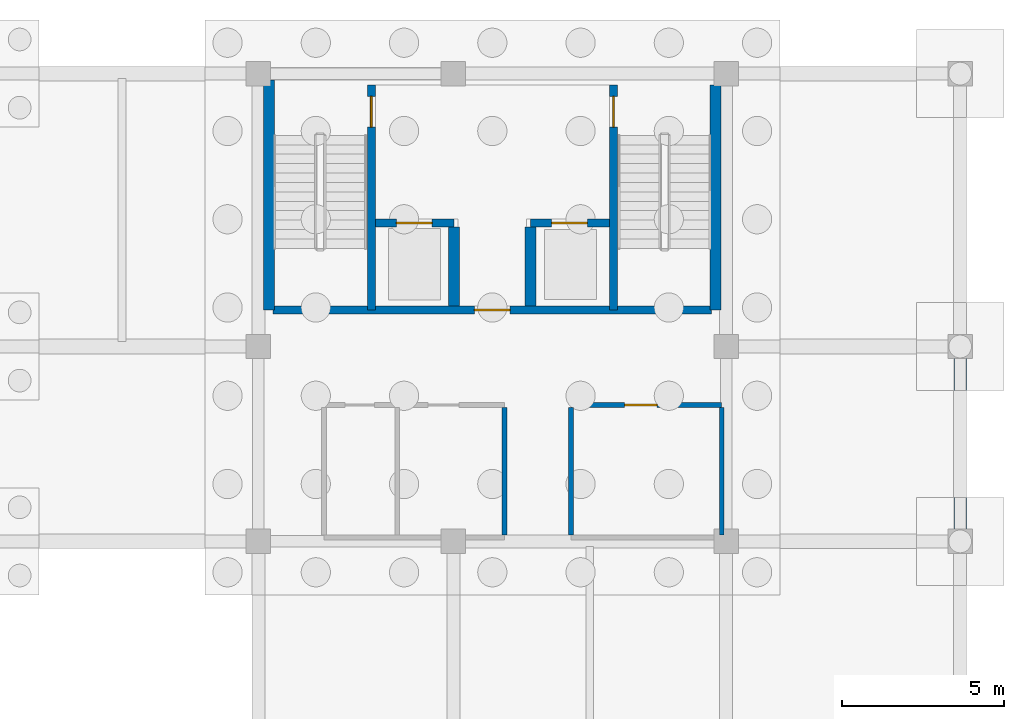
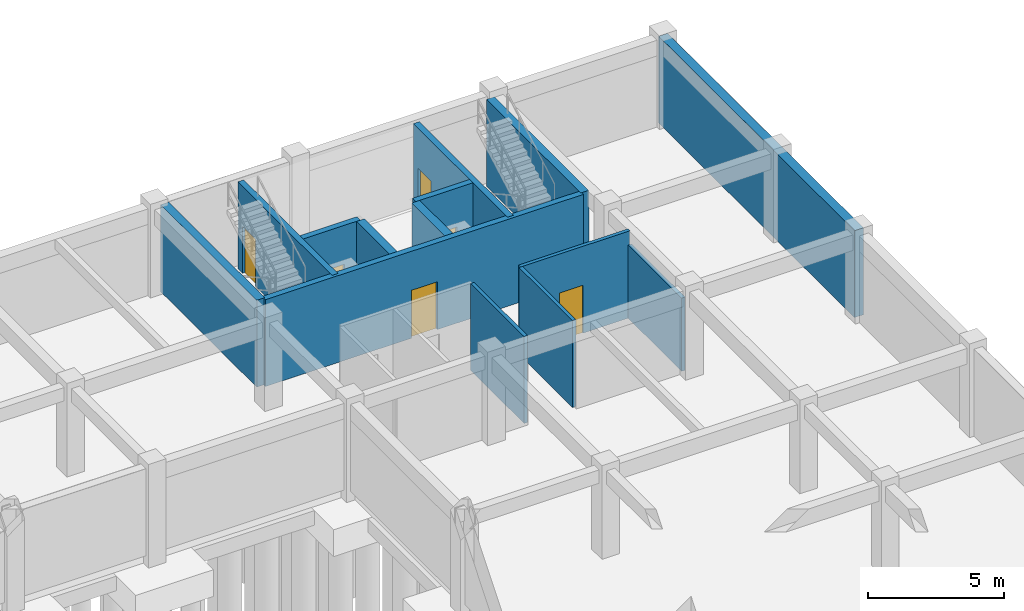
# One storey, part 31 of 40: 14 walls, 6 doors, 6 openings.
"""IFC4 building model written with IfcOpenShell, lengths in metres."""

from ifc_helpers import new_model, si_unit, direction, frame, frame_2d, origin, place, context, subcontext, project, spatial, rectangle, extrude, material, layer, layer_set, type_object, element, fill, save


model = new_model("IFC4")

# Units and contexts
model_context = context("Model", 3, precision=1e-05, world=origin(), true_north=direction((0.0, 1.0)))
body_context = subcontext(model_context, "Body", "Model", "MODEL_VIEW")
ifc_project = project(units=[si_unit("LENGTHUNIT", "METRE"), si_unit("AREAUNIT", "SQUARE_METRE"), si_unit("VOLUMEUNIT", "CUBIC_METRE"), si_unit("PLANEANGLEUNIT", "RADIAN"), si_unit("MASSUNIT", "GRAM", prefix="KILO"), si_unit("THERMODYNAMICTEMPERATUREUNIT", "KELVIN")], contexts=[model_context])

# Site, building, storey
site_placement = place(None, origin())
site = spatial("IfcSite", under=ifc_project, at=site_placement, CompositionType="ELEMENT")
building_placement = place(site_placement, origin())
building = spatial("IfcBuilding", under=site, at=building_placement, Name="Thalorik Housing Commons", CompositionType="ELEMENT")
storey_placement = place(building_placement, frame((0.0, 0.0, -4.199951171875)))
storey = spatial("IfcBuildingStorey", under=building, at=storey_placement, Name="B1", CompositionType="ELEMENT", Elevation=-4.199951171875)

# Wall, opening, door
ifc_material_1 = material(Name="Concrete C40/50", Category="concrete")
ifc_layer_1 = layer(ifc_material_1, 0.25, Name="Concrete C40/50", Category="concrete")
ifc_layer_set_1 = layer_set([ifc_layer_1], Name="Concrete C40/50")
wall_type_1 = type_object("IfcWallType", Name="ARC-WAL-CORE-250", PredefinedType="SHEAR", material=ifc_layer_set_1)
wall_1_placement = place(storey_placement, frame((155.875, 123.25, 0.0), z_axis=(0.0, 0.0, 1.0), x_axis=(0.0, -1.0, 0.0)))
wall_1 = element("IfcWall", 1, at=wall_1_placement, inside=storey, type_object=wall_type_1, Name="B1 Core B Stair 1 Shear Wall", PredefinedType="SHEAR", context=body_context, shape_type="SweptSolid", body=[
    extrude(rectangle(XDim=6.925048828125, YDim=0.25, at=frame_2d((3.46240234375, 0.0))), origin(), (0.0, 0.0, 1.0), 3.89990234375),
])
opening_1_placement = place(wall_1_placement, frame((0.35009765625, 0.0, 0.0)))
opening_1 = element("IfcOpeningElement", 2, at=opening_1_placement, cuts=wall_1, Name="Opening ID-0137", PredefinedType="OPENING", context=body_context, shape_type="SweptSolid", body=[
    extrude(rectangle(XDim=0.949951171875, YDim=2.10009765625, at=frame_2d((0.47509765625, 1.050048828125))), frame((0.0, 0.135009765625, 0.0), z_axis=(0.0, -1.0, 0.0), x_axis=(1.0, 0.0, 0.0)), (0.0, 0.0, 1.0), 0.27001953125),
])
ifc_material_2 = material(Name="Steel S355", Category="steel")
door_type_1 = type_object("IfcDoorType", Name="ARC-DR-FD60-950", OperationType="NOTDEFINED", PredefinedType="DOOR", material=ifc_material_2)
door_1_placement = place(opening_1_placement, origin())
door_1 = element("IfcDoor", 3, at=door_1_placement, inside=storey, type_object=door_type_1, Name="B1 Stair ST-B1 Fire Door", OperationType="SINGLE_SWING_RIGHT", OverallHeight=2.10009765625, OverallWidth=0.949951171875, PredefinedType="DOOR", context=body_context, shape_type="SweptSolid", body=[
    extrude(rectangle(XDim=0.949951171875, YDim=2.10009765625, at=frame_2d((0.47509765625, 1.050048828125))), frame((0.0, 0.02490234375, 0.0), z_axis=(0.0, -1.0, 0.0), x_axis=(1.0, 0.0, 0.0)), (0.0, 0.0, 1.0), 0.050048828125),
])
fill(opening_1, door_1)

wall_2_placement = place(storey_placement, frame((163.324951171875, 123.25, 0.0), z_axis=(0.0, 0.0, 1.0), x_axis=(0.0, -1.0, 0.0)))
wall_2 = element("IfcWall", 4, at=wall_2_placement, inside=storey, type_object=wall_type_1, Name="B1 Core B Stair 2 Shear Wall", PredefinedType="SHEAR", context=body_context, shape_type="SweptSolid", body=[
    extrude(rectangle(XDim=6.925048828125, YDim=0.25, at=frame_2d((3.46240234375, 0.0))), origin(), (0.0, 0.0, 1.0), 3.89990234375),
])
opening_2_placement = place(wall_2_placement, frame((0.35009765625, 0.0, 0.0)))
opening_2 = element("IfcOpeningElement", 5, at=opening_2_placement, cuts=wall_2, Name="Opening ID-0138", PredefinedType="OPENING", context=body_context, shape_type="SweptSolid", body=[
    extrude(rectangle(XDim=0.949951171875, YDim=2.10009765625, at=frame_2d((0.47509765625, 1.050048828125))), frame((0.0, 0.135009765625, 0.0), z_axis=(0.0, -1.0, 0.0), x_axis=(1.0, 0.0, 0.0)), (0.0, 0.0, 1.0), 0.27001953125),
])
door_2_placement = place(opening_2_placement, origin())
door_2 = element("IfcDoor", 6, at=door_2_placement, inside=storey, type_object=door_type_1, Name="B1 Stair ST-B2 Fire Door", OperationType="SINGLE_SWING_LEFT", OverallHeight=2.10009765625, OverallWidth=0.949951171875, PredefinedType="DOOR", context=body_context, shape_type="SweptSolid", body=[
    extrude(rectangle(XDim=0.949951171875, YDim=2.10009765625, at=frame_2d((0.47509765625, 1.050048828125))), frame((0.0, 0.02490234375, 0.0), z_axis=(0.0, -1.0, 0.0), x_axis=(1.0, 0.0, 0.0)), (0.0, 0.0, 1.0), 0.050048828125),
])
fill(opening_2, door_2)

wall_3_placement = place(storey_placement, frame((156.0, 119.0, 0.0), z_axis=(0.0, 0.0, 1.0), x_axis=(1.0, 0.0, 0.0)))
wall_3 = element("IfcWall", 7, at=wall_3_placement, inside=storey, type_object=wall_type_1, Name="B1 Lift LF-B1 Front Shaft Wall", PredefinedType="SHEAR", context=body_context, shape_type="SweptSolid", body=[
    extrude(rectangle(XDim=2.425048828125, YDim=0.25, at=frame_2d((1.21240234375, 0.0))), origin(), (0.0, 0.0, 1.0), 3.89990234375),
])
opening_3_placement = place(wall_3_placement, frame((0.64990234375, 0.0, 0.0)))
opening_3 = element("IfcOpeningElement", 8, at=opening_3_placement, cuts=wall_3, Name="Opening LD-LF-B1-B1", PredefinedType="OPENING", context=body_context, shape_type="SweptSolid", body=[
    extrude(rectangle(XDim=1.10009765625, YDim=2.14990234375, at=frame_2d((0.550048828125, 1.074951171875))), frame((0.0, 0.135009765625, 0.0), z_axis=(0.0, -1.0, 0.0), x_axis=(1.0, 0.0, 0.0)), (0.0, 0.0, 1.0), 0.27001953125),
])
door_type_2 = type_object("IfcDoorType", Name="ARC-DR-LIFT-1100", OperationType="NOTDEFINED", PredefinedType="DOOR", material=ifc_material_2)
door_3_placement = place(opening_3_placement, origin())
door_3 = element("IfcDoor", 9, at=door_3_placement, inside=storey, type_object=door_type_2, Name="B1 Lift LF-B1 Landing Door", OperationType="SLIDING_TO_LEFT", OverallHeight=2.14990234375, OverallWidth=1.10009765625, PredefinedType="DOOR", context=body_context, shape_type="SweptSolid", body=[
    extrude(rectangle(XDim=1.10009765625, YDim=2.14990234375, at=frame_2d((0.550048828125, 1.074951171875))), frame((0.0, 0.02490234375, 0.0), z_axis=(0.0, -1.0, 0.0), x_axis=(1.0, 0.0, 0.0)), (0.0, 0.0, 1.0), 0.050048828125),
])
fill(opening_3, door_3)

wall_4_placement = place(storey_placement, frame((160.77490234375, 119.0, 0.0), z_axis=(0.0, 0.0, 1.0), x_axis=(1.0, 0.0, 0.0)))
wall_4 = element("IfcWall", 10, at=wall_4_placement, inside=storey, type_object=wall_type_1, Name="B1 Lift LP-B2 Front Shaft Wall", PredefinedType="SHEAR", context=body_context, shape_type="SweptSolid", body=[
    extrude(rectangle(XDim=2.425048828125, YDim=0.25, at=frame_2d((1.21240234375, 0.0))), origin(), (0.0, 0.0, 1.0), 3.89990234375),
])
opening_4_placement = place(wall_4_placement, frame((0.64990234375, 0.0, 0.0)))
opening_4 = element("IfcOpeningElement", 11, at=opening_4_placement, cuts=wall_4, Name="Opening LD-LP-B2-B1", PredefinedType="OPENING", context=body_context, shape_type="SweptSolid", body=[
    extrude(rectangle(XDim=1.10009765625, YDim=2.14990234375, at=frame_2d((0.550048828125, 1.074951171875))), frame((0.0, 0.135009765625, 0.0), z_axis=(0.0, -1.0, 0.0), x_axis=(1.0, 0.0, 0.0)), (0.0, 0.0, 1.0), 0.27001953125),
])
door_4_placement = place(opening_4_placement, origin())
door_4 = element("IfcDoor", 12, at=door_4_placement, inside=storey, type_object=door_type_2, Name="B1 Lift LP-B2 Landing Door", OperationType="SLIDING_TO_LEFT", OverallHeight=2.14990234375, OverallWidth=1.10009765625, PredefinedType="DOOR", context=body_context, shape_type="SweptSolid", body=[
    extrude(rectangle(XDim=1.10009765625, YDim=2.14990234375, at=frame_2d((0.550048828125, 1.074951171875))), frame((0.0, 0.02490234375, 0.0), z_axis=(0.0, -1.0, 0.0), x_axis=(1.0, 0.0, 0.0)), (0.0, 0.0, 1.0), 0.050048828125),
])
fill(opening_4, door_4)

wall_5_placement = place(storey_placement, frame((152.85009765625, 116.324951171875, 0.0), z_axis=(0.0, 0.0, 1.0), x_axis=(1.0, 0.0, 0.0)))
wall_5 = element("IfcWall", 13, at=wall_5_placement, inside=storey, type_object=wall_type_1, Name="B1 Core B Spine Shear Wall", PredefinedType="SHEAR", context=body_context, shape_type="SweptSolid", body=[
    extrude(rectangle(XDim=13.5, YDim=0.25, at=frame_2d((6.75, 0.0))), origin(), (0.0, 0.0, 1.0), 3.89990234375),
])
opening_5_placement = place(wall_5_placement, frame((6.199951171875, 0.0, 0.0)))
opening_5 = element("IfcOpeningElement", 14, at=opening_5_placement, cuts=wall_5, Name="Opening ID-0141", PredefinedType="OPENING", context=body_context, shape_type="SweptSolid", body=[
    extrude(rectangle(XDim=1.10009765625, YDim=2.14990234375, at=frame_2d((0.550048828125, 1.074951171875))), frame((0.0, 0.135009765625, 0.0), z_axis=(0.0, -1.0, 0.0), x_axis=(1.0, 0.0, 0.0)), (0.0, 0.0, 1.0), 0.27001953125),
])
door_type_3 = type_object("IfcDoorType", Name="ARC-DR-FD60-1100", OperationType="NOTDEFINED", PredefinedType="DOOR", material=ifc_material_2)
door_5_placement = place(opening_5_placement, origin())
door_5 = element("IfcDoor", 15, at=door_5_placement, inside=storey, type_object=door_type_3, Name="B1 Core B Lobby Fire Door", OperationType="SINGLE_SWING_RIGHT", OverallHeight=2.14990234375, OverallWidth=1.10009765625, PredefinedType="DOOR", context=body_context, shape_type="SweptSolid", body=[
    extrude(rectangle(XDim=1.10009765625, YDim=2.14990234375, at=frame_2d((0.550048828125, 1.074951171875))), frame((0.0, 0.02490234375, 0.0), z_axis=(0.0, -1.0, 0.0), x_axis=(1.0, 0.0, 0.0)), (0.0, 0.0, 1.0), 0.050048828125),
])
fill(opening_5, door_5)

# Walls
ifc_layer_2 = layer(ifc_material_1, 0.340087890625, Name="Concrete C40/50", Category="concrete")
ifc_layer_set_2 = layer_set([ifc_layer_2], Name="Concrete C40/50")
wall_type_2 = type_object("IfcWallType", Name="ARC-WAL-CORE-340", PredefinedType="SHEAR", material=ifc_layer_set_2)
wall_6_placement = place(storey_placement, frame((152.72509765625, 123.39990234375, 0.0), z_axis=(0.0, 0.0, 1.0), x_axis=(0.0, -1.0, 0.0)))
element("IfcWall", 16, at=wall_6_placement, inside=storey, type_object=wall_type_2, Name="B1 Core B Stair 1 Outer Shear Wall", PredefinedType="SHEAR", context=body_context, shape_type="SweptSolid", body=[
    extrude(rectangle(XDim=7.074951171875, YDim=0.340087890625, at=frame_2d((3.53759765625, 0.0))), origin(), (0.0, 0.0, 1.0), 3.89990234375),
])
wall_7_placement = place(storey_placement, frame((166.47509765625, 123.25, 0.0), z_axis=(0.0, 0.0, 1.0), x_axis=(0.0, -1.0, 0.0)))
element("IfcWall", 17, at=wall_7_placement, inside=storey, type_object=wall_type_2, Name="B1 Core B Stair 2 Outer Shear Wall", PredefinedType="SHEAR", context=body_context, shape_type="SweptSolid", body=[
    extrude(rectangle(XDim=6.925048828125, YDim=0.340087890625, at=frame_2d((3.46240234375, 0.0))), origin(), (0.0, 0.0, 1.0), 3.89990234375),
])
for number, where, z_axis, x_axis, name in (
    (18, (158.425048828125, 118.875, 0.0), (0.0, 0.0, 1.0), (0.0, -1.0, 0.0), "B1 Lift 1 Cheek Wall"),
    (19, (160.77490234375, 118.875, 0.0), (0.0, 0.0, 1.0), (0.0, -1.0, 0.0), "B1 Lift 2 Cheek Wall"),
):
    element("IfcWall", number, at=place(storey_placement, frame(where, z_axis=z_axis, x_axis=x_axis)), inside=storey, type_object=wall_type_2, Name=name, PredefinedType="SHEAR", context=body_context, shape_type="SweptSolid", body=[
        extrude(rectangle(XDim=2.425048828125, YDim=0.340087890625, at=frame_2d((1.21240234375, 0.0))), origin(), (0.0, 0.0, 1.0), 3.89990234375),
    ])
ifc_material_3 = material(Name="Ceramic masonry partition wall", Category="masonry")
ifc_layer_3 = layer(ifc_material_3, 0.14794921875, Name="Ceramic masonry partition wall", Category="masonry")
ifc_layer_set_3 = layer_set([ifc_layer_3], Name="Ceramic masonry partition wall")
wall_type_3 = type_object("IfcWallType", Name="ARC-WAL-PART-150", PredefinedType="PARTITIONING", material=ifc_layer_set_3)
for number, where, z_axis, x_axis, name in (
    (20, (159.97509765625, 113.323974609375, 0.0), (0.0, 0.0, 1.0), (0.0, -1.0, 0.0), "Core Stem West Cheek Wall"),
    (21, (162.02490234375, 113.323974609375, 0.0), (0.0, 0.0, 1.0), (0.0, -1.0, 0.0), "Core Stem East Cheek Wall"),
):
    element("IfcWall", number, at=place(storey_placement, frame(where, z_axis=z_axis, x_axis=x_axis)), inside=storey, type_object=wall_type_3, Name=name, PredefinedType="PARTITIONING", context=body_context, shape_type="SweptSolid", body=[
        extrude(rectangle(XDim=3.927978515625, YDim=0.14794921875, at=frame_2d((1.9638671875, 0.0))), origin(), (0.0, 0.0, 1.0), 3.89990234375),
    ])
wall_8_placement = place(storey_placement, frame((166.659912109375, 113.323974609375, 0.0), z_axis=(0.0, 0.0, 1.0), x_axis=(0.0, -1.0, 0.0)))
element("IfcWall", 22, at=wall_8_placement, inside=storey, type_object=wall_type_3, Name="Core East Enclosing Wall", PredefinedType="PARTITIONING", context=body_context, shape_type="SweptSolid", body=[
    extrude(rectangle(XDim=3.927978515625, YDim=0.14794921875, at=frame_2d((1.9638671875, 0.0))), origin(), (0.0, 0.0, 1.0), 3.284912109375),
])

# Wall, opening, door
wall_9_placement = place(storey_placement, frame((162.02490234375, 113.39990234375, 0.0), z_axis=(0.0, 0.0, 1.0), x_axis=(1.0, 0.0, 0.0)))
wall_9 = element("IfcWall", 23, at=wall_9_placement, inside=storey, type_object=wall_type_3, Name="B1 Core B East Corridor Partition", PredefinedType="PARTITIONING", context=body_context, shape_type="SweptSolid", body=[
    extrude(rectangle(XDim=4.635009765625, YDim=0.14794921875, at=frame_2d((2.3173828125, 0.0))), origin(), (0.0, 0.0, 1.0), 3.89990234375),
])
opening_6_placement = place(wall_9_placement, frame((1.64990234375, 0.0, 0.0)))
opening_6 = element("IfcOpeningElement", 24, at=opening_6_placement, cuts=wall_9, Name="Opening ID-0144", PredefinedType="OPENING", context=body_context, shape_type="SweptSolid", body=[
    extrude(rectangle(XDim=1.0, YDim=2.14990234375, at=frame_2d((0.5, 1.074951171875))), frame((0.0, 0.083984375, 0.0), z_axis=(0.0, -1.0, 0.0), x_axis=(1.0, 0.0, 0.0)), (0.0, 0.0, 1.0), 0.16796875),
])
door_type_4 = type_object("IfcDoorType", Name="ARC-DR-FD60-1000", OperationType="NOTDEFINED", PredefinedType="DOOR", material=ifc_material_2)
door_6_placement = place(opening_6_placement, origin())
door_6 = element("IfcDoor", 25, at=door_6_placement, inside=storey, type_object=door_type_4, Name="Core Hub Room Door", OperationType="SINGLE_SWING_LEFT", OverallHeight=2.14990234375, OverallWidth=1.0, PredefinedType="DOOR", context=body_context, shape_type="SweptSolid", body=[
    extrude(rectangle(XDim=1.0, YDim=2.14990234375, at=frame_2d((0.5, 1.074951171875))), frame((0.0, 0.02490234375, 0.0), z_axis=(0.0, -1.0, 0.0), x_axis=(1.0, 0.0, 0.0)), (0.0, 0.0, 1.0), 0.050048828125),
])
fill(opening_6, door_6)

# Wall
ifc_layer_4 = layer(ifc_material_1, 0.3798828125, Name="Concrete C40/50", Category="concrete")
ifc_layer_set_4 = layer_set([ifc_layer_4], Name="Concrete C40/50")
wall_type_4 = type_object("IfcWallType", Name="ARC-WAL-RET-380", PredefinedType="SHEAR", material=ifc_layer_set_4)
wall_10_placement = place(storey_placement, frame((174.0, 109.199951171875, 0.0), z_axis=(0.0, 0.0, 1.0), x_axis=(0.0, 1.0, 0.0)))
element("IfcWall", 26, at=wall_10_placement, inside=storey, type_object=wall_type_4, Name="B1 Exterior Wall WAL-B1-BLKB-1", PredefinedType="SHEAR", context=body_context, shape_type="SweptSolid", body=[
    extrude(rectangle(XDim=14.400146484375, YDim=0.3798828125, at=frame_2d((7.2001953125, 0.0))), origin(), (0.0, 0.0, 1.0), 3.89990234375),
])

save(model, "model.ifc")
